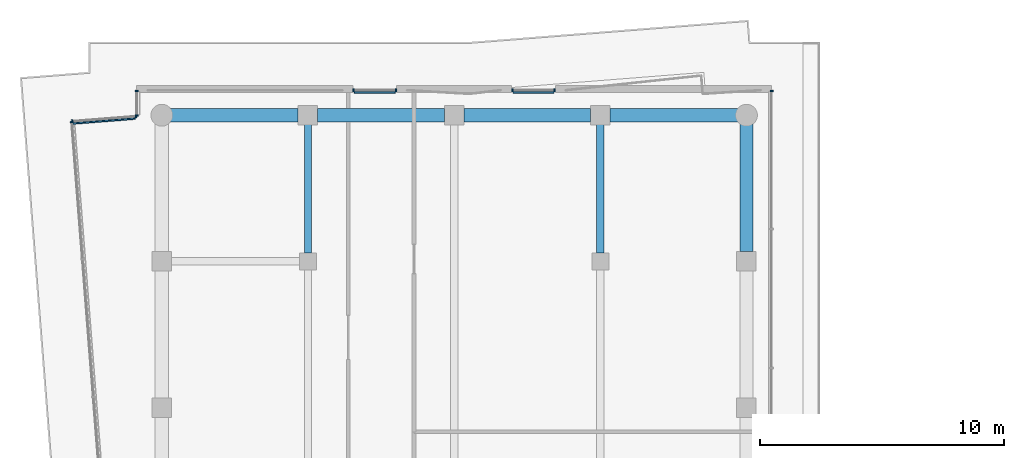
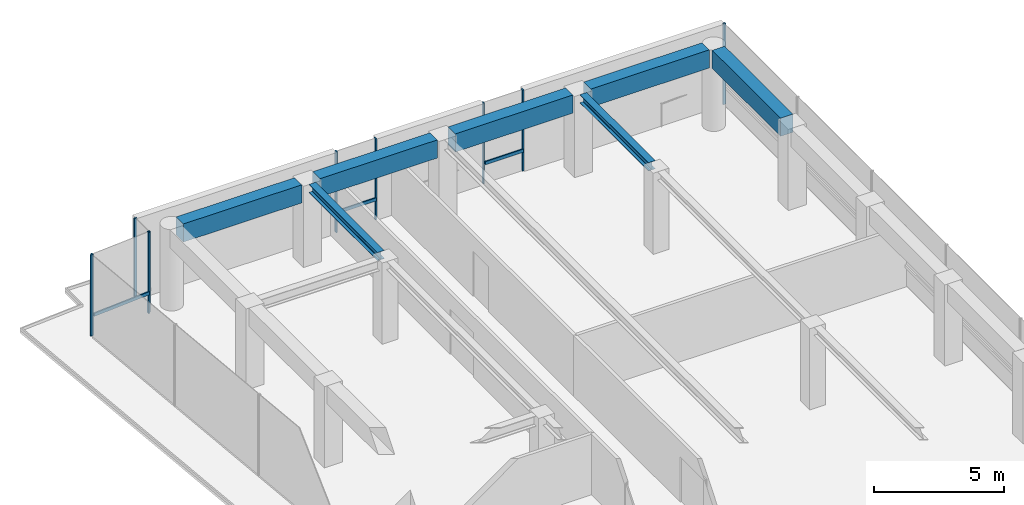
# One storey, part 17 of 23: 13 members, 7 beams, 6 elements without a shape of their own.
"""IFC4 building model written with IfcOpenShell, lengths in metres."""

import ifcopenshell
import ifcopenshell.guid

model = None  # the IFC model being written
_history = None  # IfcOwnerHistory: only IFC2X3 demands one
_inside = {}  # id of a spatial element -> (the spatial element, [elements in it])
_under = {}  # id of a project, library or spatial element -> (it, [spatial elements below it])
_declared = {}  # id of a project -> (the project, [libraries it declares])
_typed = {}  # id of a type object -> (the type object, [elements of that type])
_made_of = {}  # id of a material, layer set ... -> (it, [elements and type objects made of it])


def new_model(schema):
    """Start an empty IFC model of exactly this schema.

    Asked for "IFC4X3", IfcOpenShell would pick the latest addendum, in which some entities
    have other attributes; the version numbers below select the first issue.
    IFC2X3 requires an IfcOwnerHistory on every rooted entity: one is made here for all.
    """
    global model, _history
    if schema == "IFC4X3":
        model = ifcopenshell.file(schema_version=(4, 3, 0, 0))
    else:
        model = ifcopenshell.file(schema=schema)
    _inside.clear()
    _under.clear()
    _declared.clear()
    _typed.clear()
    _made_of.clear()
    _history = None
    if model.schema == "IFC2X3":
        org = make("IfcOrganization", Name="unknown")
        user = make(
            "IfcPersonAndOrganization",
            ThePerson=make("IfcPerson", FamilyName="unknown"),
            TheOrganization=org,
        )
        app = make(
            "IfcApplication",
            ApplicationDeveloper=org,
            Version="unknown",
            ApplicationFullName="unknown",
            ApplicationIdentifier="unknown",
        )
        _history = make(
            "IfcOwnerHistory",
            OwningUser=user,
            OwningApplication=app,
            ChangeAction="ADDED",
            CreationDate=0,
        )
    return model


def make(cls, **values):
    """One entity of the class cls with the attributes given. An attribute that is None is left unset."""
    return model.create_entity(
        cls, **{name: value for name, value in values.items() if value is not None}
    )


def rooted(cls, **values):
    """An entity with a GlobalId (a new one), such as an element, a storey or a relation."""
    return make(cls, GlobalId=ifcopenshell.guid.new(), OwnerHistory=_history, **values)


def si_unit(unit_type, name, prefix=None):
    """IfcSIUnit, for example si_unit("LENGTHUNIT", "METRE", prefix="MILLI")."""
    return make("IfcSIUnit", UnitType=unit_type, Prefix=prefix, Name=name)


def assignment(units):
    """IfcUnitAssignment: the units of a project."""
    return None if units is None else make("IfcUnitAssignment", Units=units)


def point(xyz):
    """IfcCartesianPoint."""
    return None if xyz is None else make("IfcCartesianPoint", Coordinates=xyz)


def direction(xyz):
    """IfcDirection."""
    return None if xyz is None else make("IfcDirection", DirectionRatios=xyz)


def frame(location, z_axis=None, x_axis=None):
    """IfcAxis2Placement3D, a coordinate frame: its origin and axes. An axis left out is left unset."""
    return make(
        "IfcAxis2Placement3D",
        Location=point(location),
        Axis=direction(z_axis),
        RefDirection=direction(x_axis),
    )


def frame_2d(location, x_axis=None):
    """IfcAxis2Placement2D, a coordinate frame in the plane: its origin and x axis."""
    return make(
        "IfcAxis2Placement2D", Location=point(location), RefDirection=direction(x_axis)
    )


def origin():
    """The frame at (0, 0, 0) with its axes left unset."""
    return frame((0.0, 0.0, 0.0))


def origin_2d():
    """The frame at (0, 0) in the plane with its x axis left unset."""
    return frame_2d((0.0, 0.0))


def place(relative_to, where):
    """IfcLocalPlacement: puts the frame where relative to a parent placement (None: the world)."""
    return make(
        "IfcLocalPlacement", PlacementRelTo=relative_to, RelativePlacement=where
    )


def context(
    kind, dimensions, precision=None, world=None, true_north=None, identifier=None
):
    """IfcGeometricRepresentationContext, for example the 3D "Model" context."""
    return make(
        "IfcGeometricRepresentationContext",
        ContextIdentifier=identifier,
        ContextType=kind,
        CoordinateSpaceDimension=dimensions,
        Precision=precision,
        WorldCoordinateSystem=world,
        TrueNorth=true_north,
    )


def subcontext(parent, identifier, kind, view, scale=None):
    """IfcGeometricRepresentationSubContext, for example "Body" below "Model"."""
    return make(
        "IfcGeometricRepresentationSubContext",
        ContextIdentifier=identifier,
        ContextType=kind,
        ParentContext=parent,
        TargetScale=scale,
        TargetView=view,
    )


def project(units=None, contexts=None):
    """IfcProject with its units and contexts."""
    return rooted(
        "IfcProject",
        Name="project",
        RepresentationContexts=contexts,
        UnitsInContext=assignment(units),
    )


def spatial(cls, under=None, at=None, **own):
    """A site, building, storey or space (cls), placed at a placement, below another one or the project."""
    s = rooted(cls, ObjectPlacement=at, **own)
    if under is not None:
        _under.setdefault(under.id(), (under, []))[1].append(s)
    return s


def profile(cls, at=None, kind="AREA", **sizes):
    """A parametric profile (cls). Its sizes go by their IFC names, for example OverallWidth=200.0."""
    return make(cls, ProfileType=kind, Position=at, **sizes)


def rectangle(**sizes):
    """IfcRectangleProfileDef."""
    return profile("IfcRectangleProfileDef", **sizes)


def i_section(**sizes):
    """IfcIShapeProfileDef."""
    return profile("IfcIShapeProfileDef", **sizes)


def extrude(swept, where, along, depth):
    """IfcExtrudedAreaSolid: the profile swept, set in the frame where, extruded along a direction by depth."""
    return make(
        "IfcExtrudedAreaSolid",
        SweptArea=swept,
        Position=where,
        ExtrudedDirection=direction(along),
        Depth=depth,
    )


def shape(context_of_items, identifier, shape_type, items):
    """IfcShapeRepresentation: the items that make up one representation, for example the "Body"."""
    return make(
        "IfcShapeRepresentation",
        ContextOfItems=context_of_items,
        RepresentationIdentifier=identifier,
        RepresentationType=shape_type,
        Items=items,
    )


def material(Name=None, Category=None):
    """IfcMaterial."""
    return make("IfcMaterial", Name=Name, Category=Category)


def layer(
    of_material, thickness, ventilated=None, Name=None, Category=None, Priority=None
):
    """IfcMaterialLayer: one layer of a wall or slab, of a material (None: an air gap)."""
    return make(
        "IfcMaterialLayer",
        Material=of_material,
        LayerThickness=thickness,
        IsVentilated=ventilated,
        Name=Name,
        Category=Category,
        Priority=Priority,
    )


def layer_set(layers, Name=None):
    """IfcMaterialLayerSet."""
    return make("IfcMaterialLayerSet", MaterialLayers=layers, LayerSetName=Name)


def material_profile(
    of_material, cross_section, Name=None, Category=None, Priority=None
):
    """IfcMaterialProfile: a cross section and its material."""
    return make(
        "IfcMaterialProfile",
        Name=Name,
        Material=of_material,
        Profile=cross_section,
        Priority=Priority,
        Category=Category,
    )


def profile_set(profiles, Name=None, composite=None):
    """IfcMaterialProfileSet."""
    return make(
        "IfcMaterialProfileSet",
        Name=Name,
        MaterialProfiles=profiles,
        CompositeProfile=composite,
    )


def made_of(thing, what):
    """Note that an element or type object is made of a material, layer set ...; save() writes the relation."""
    if what is not None:
        _made_of.setdefault(what.id(), (what, []))[1].append(thing)
    return thing


def type_object(cls, material=None, **own):
    """A type object (cls), such as IfcWallType, which elements share."""
    return made_of(rooted(cls, **own), material)


def element(
    cls,
    number,
    at=None,
    inside=None,
    cuts=None,
    type_object=None,
    material=None,
    context=None,
    identifier="Body",
    shape_type=None,
    held_by="IfcProductDefinitionShape",
    body=None,
    shapes=None,
    **own,
):
    """One element of the class cls, such as IfcWall. Its Tag is "e" and its number.

    at: its placement. inside: the storey or other place that contains it. cuts: it is an
    opening in that element (IfcRelVoidsElement). A single representation is given by context,
    identifier, shape_type and body (its items); several are given by shapes. held_by: the class
    of the entity that holds the representations. save() writes the other relations.
    """
    e = rooted(cls, Tag="e%d" % number, ObjectPlacement=at, **own)
    if body is not None:
        shapes = [shape(context, identifier, shape_type, body)]
    if shapes is not None:
        e.Representation = make(held_by, Representations=shapes)
    if inside is not None:
        _inside.setdefault(inside.id(), (inside, []))[1].append(e)
    if cuts is not None:
        rooted(
            "IfcRelVoidsElement", RelatingBuildingElement=cuts, RelatedOpeningElement=e
        )
    if type_object is not None:
        _typed.setdefault(type_object.id(), (type_object, []))[1].append(e)
    return made_of(e, material)


def aggregate(whole, parts):
    """IfcRelAggregates: a whole, such as a stair, and the parts it consists of."""
    return rooted("IfcRelAggregates", RelatingObject=whole, RelatedObjects=parts)


def save(model, path):
    """Write the relations noted so far, then the file.

    IfcRelAggregates (storeys below a building ...), IfcRelContainedInSpatialStructure (elements
    in a storey), IfcRelDefinesByType, IfcRelAssociatesMaterial and IfcRelDeclares: one each for
    every whole, place, type object, material and project.
    """
    for whole, parts in _under.values():
        aggregate(whole, parts)
    for where, things in _inside.values():
        rooted(
            "IfcRelContainedInSpatialStructure",
            RelatedElements=things,
            RelatingStructure=where,
        )
    for kind, things in _typed.values():
        rooted("IfcRelDefinesByType", RelatedObjects=things, RelatingType=kind)
    for what, things in _made_of.values():
        rooted("IfcRelAssociatesMaterial", RelatedObjects=things, RelatingMaterial=what)
    for by, libraries in _declared.values():
        rooted("IfcRelDeclares", RelatingContext=by, RelatedDefinitions=libraries)
    model.write(path)


model = new_model("IFC4")

# Units and contexts
model_context = context("Model", 3, precision=1e-05, world=origin(), true_north=direction((0.0, 1.0)))
body_context = subcontext(model_context, "Body", "Model", "MODEL_VIEW")
ifc_project = project(units=[si_unit("LENGTHUNIT", "METRE"), si_unit("AREAUNIT", "SQUARE_METRE"), si_unit("VOLUMEUNIT", "CUBIC_METRE"), si_unit("PLANEANGLEUNIT", "RADIAN"), si_unit("MASSUNIT", "GRAM", prefix="KILO")], contexts=[model_context])

# Site, building, storey
site_placement = place(None, origin())
site = spatial("IfcSite", under=ifc_project, at=site_placement, CompositionType="ELEMENT")
building_placement = place(site_placement, origin())
building = spatial("IfcBuilding", under=site, at=building_placement, Name="Welwitschia Terrace Campus", CompositionType="ELEMENT")
storey_placement = place(building_placement, frame((0.0, 0.0, 209.60009765625)))
storey = spatial("IfcBuildingStorey", under=building, at=storey_placement, Name="L46", CompositionType="ELEMENT", Elevation=209.60009765625)

# Beams
ifc_material_1 = material(Name="Steel S355", Category="steel")
ifc_material_profile_1 = material_profile(ifc_material_1, i_section(OverallWidth=0.300048828125, OverallDepth=0.389892578125, WebThickness=0.010986328125, FlangeThickness=0.01904296875, FilletRadius=0.027099609375, at=origin_2d()))
ifc_profile_set_1 = profile_set([ifc_material_profile_1], Name="Steel S355")
beam_type_1 = type_object("IfcBeamType", Name="Interior girder HE 400 A", PredefinedType="BEAM", material=ifc_profile_set_1)
for number, where, z_axis, x_axis, name in (
    (1, (6.0, 64.3505859375, 3.60498046875), (0.0, 1.0, 0.0), (-1.0, 0.0, 0.0), "Girder GB5"),
    (2, (18.0, 64.3505859375, 3.60498046875), (0.0, 1.0, 0.0), (-1.0, 0.0, 0.0), "Girder GB5"),
):
    element("IfcBeam", number, at=place(storey_placement, frame(where, z_axis=z_axis, x_axis=x_axis)), inside=storey, type_object=beam_type_1, Name=name, PredefinedType="BEAM", context=body_context, shape_type="SweptSolid", body=[
        extrude(i_section(OverallWidth=0.300048828125, OverallDepth=0.389892578125, WebThickness=0.010986328125, FlangeThickness=0.01904296875, FilletRadius=0.027099609375, at=origin_2d()), origin(), (0.0, 0.0, 1.0), 5.259033203125),
    ])

# Curtain wall, member
ifc_material_2 = material(Name="Bronze anodised aluminium", Category="aluminium")
ifc_layer = layer(ifc_material_2, 0.1201171875)
ifc_layer_set = layer_set([ifc_layer], Name="Bronze anodised aluminium")
curtain_wall_type = type_object("IfcCurtainWallType", Name="Curtain wall CW2 tower 6000", PredefinedType="NOTDEFINED", material=ifc_layer_set)
curtain_wall_1_placement = place(storey_placement, origin())
curtain_wall_1 = element("IfcCurtainWall", 3, at=curtain_wall_1_placement, inside=storey, type_object=curtain_wall_type, Name="CW L46.7.0", PredefinedType="NOTDEFINED")
ifc_material_3 = material(Name="Bronze anodised aluminium", Category="aluminium")
ifc_material_profile_2 = material_profile(ifc_material_3, rectangle(XDim=0.1201171875, YDim=0.06005859375, at=origin_2d()))
ifc_profile_set_2 = profile_set([ifc_material_profile_2], Name="Bronze anodised aluminium")
member_type_1 = type_object("IfcMemberType", Name="Mullion 60x120", PredefinedType="MULLION", material=ifc_profile_set_2)
member_1_placement = place(storey_placement, frame((25.030029296875, 71.0, 0.0), z_axis=(0.0, 0.0, 1.0), x_axis=(-1.0, 0.0, 0.0)))
member_1 = element("IfcMember", 4, at=member_1_placement, type_object=member_type_1, Name="Mullion L46.7.0.6", PredefinedType="MULLION", context=body_context, shape_type="SweptSolid", body=[
    extrude(rectangle(XDim=0.1201171875, YDim=0.06005859375, at=origin_2d()), origin(), (0.0, 0.0, 1.0), 3.7998046875),
])
aggregate(curtain_wall_1, [member_1])

# Curtain wall, members
curtain_wall_2_placement = place(storey_placement, origin())
curtain_wall_2 = element("IfcCurtainWall", 5, at=curtain_wall_2_placement, inside=storey, type_object=curtain_wall_type, Name="CW L46.8.S0", PredefinedType="NOTDEFINED")
member_2_placement = place(storey_placement, frame((16.12744140625, 71.030029296875, 0.0), z_axis=(0.0, 0.0, 1.0), x_axis=(0.0, -1.0, 0.0)))
member_2 = element("IfcMember", 6, at=member_2_placement, type_object=member_type_1, Name="Mullion L46.8.S0.0", PredefinedType="MULLION", context=body_context, shape_type="SweptSolid", body=[
    extrude(rectangle(XDim=0.1201171875, YDim=0.06005859375, at=origin_2d()), origin(), (0.0, 0.0, 1.0), 3.7998046875),
])
member_3_placement = place(storey_placement, frame((14.387451171875, 71.030029296875, 0.0), z_axis=(0.0, 0.0, 1.0), x_axis=(0.0, -1.0, 0.0)))
member_3 = element("IfcMember", 7, at=member_3_placement, type_object=member_type_1, Name="Mullion L46.8.S0.1", PredefinedType="MULLION", context=body_context, shape_type="SweptSolid", body=[
    extrude(rectangle(XDim=0.1201171875, YDim=0.06005859375, at=origin_2d()), origin(), (0.0, 0.0, 1.0), 3.7998046875),
])

curtain_wall_3_placement = place(storey_placement, origin())
curtain_wall_3 = element("IfcCurtainWall", 8, at=curtain_wall_3_placement, inside=storey, type_object=curtain_wall_type, Name="CW L46.8.S1", PredefinedType="NOTDEFINED")
member_4_placement = place(storey_placement, frame((9.612548828125, 71.030029296875, 0.0), z_axis=(0.0, 0.0, 1.0), x_axis=(0.0, -1.0, 0.0)))
member_4 = element("IfcMember", 9, at=member_4_placement, type_object=member_type_1, Name="Mullion L46.8.S1.0", PredefinedType="MULLION", context=body_context, shape_type="SweptSolid", body=[
    extrude(rectangle(XDim=0.1201171875, YDim=0.06005859375, at=origin_2d()), origin(), (0.0, 0.0, 1.0), 3.7998046875),
])
member_5_placement = place(storey_placement, frame((7.87255859375, 71.030029296875, 0.0), z_axis=(0.0, 0.0, 1.0), x_axis=(0.0, -1.0, 0.0)))
member_5 = element("IfcMember", 10, at=member_5_placement, type_object=member_type_1, Name="Mullion L46.8.S1.1", PredefinedType="MULLION", context=body_context, shape_type="SweptSolid", body=[
    extrude(rectangle(XDim=0.1201171875, YDim=0.06005859375, at=origin_2d()), origin(), (0.0, 0.0, 1.0), 3.7998046875),
])

curtain_wall_4_placement = place(storey_placement, origin())
curtain_wall_4 = element("IfcCurtainWall", 11, at=curtain_wall_4_placement, inside=storey, type_object=curtain_wall_type, Name="CW L46.9.0", PredefinedType="NOTDEFINED")
member_6_placement = place(storey_placement, frame((-1.030029296875, 71.0, 0.0), z_axis=(0.0, 0.0, 1.0), x_axis=(1.0, 0.0, 0.0)))
member_6 = element("IfcMember", 12, at=member_6_placement, type_object=member_type_1, Name="Mullion L46.9.0.0", PredefinedType="MULLION", context=body_context, shape_type="SweptSolid", body=[
    extrude(rectangle(XDim=0.1201171875, YDim=0.06005859375, at=origin_2d()), origin(), (0.0, 0.0, 1.0), 3.7998046875),
])
member_7_placement = place(storey_placement, frame((-1.030029296875, 69.986328125, 0.0), z_axis=(0.0, 0.0, 1.0), x_axis=(1.0, 0.0, 0.0)))
member_7 = element("IfcMember", 13, at=member_7_placement, type_object=member_type_1, Name="Mullion L46.9.0.1", PredefinedType="MULLION", context=body_context, shape_type="SweptSolid", body=[
    extrude(rectangle(XDim=0.1201171875, YDim=0.06005859375, at=origin_2d()), origin(), (0.0, 0.0, 1.0), 3.7998046875),
])
aggregate(curtain_wall_4, [member_6, member_7])

curtain_wall_5_placement = place(storey_placement, origin())
curtain_wall_5 = element("IfcCurtainWall", 14, at=curtain_wall_5_placement, inside=storey, type_object=curtain_wall_type, Name="CW L46.10.0", PredefinedType="NOTDEFINED")
member_8_placement = place(storey_placement, frame((-1.059814453125, 69.9541015625, 0.0), z_axis=(0.0, 0.0, 1.0), x_axis=(0.078459095728, -0.996917333733, 0.0)))
member_8 = element("IfcMember", 15, at=member_8_placement, type_object=member_type_1, Name="Mullion L46.10.0.0", PredefinedType="MULLION", context=body_context, shape_type="SweptSolid", body=[
    extrude(rectangle(XDim=0.1201171875, YDim=0.06005859375, at=origin_2d()), origin(), (0.0, 0.0, 1.0), 3.7998046875),
])
member_9_placement = place(storey_placement, frame((-3.671875, 69.74853515625, 0.0), z_axis=(0.0, 0.0, 1.0), x_axis=(0.078459095728, -0.996917333733, 0.0)))
member_9 = element("IfcMember", 16, at=member_9_placement, type_object=member_type_1, Name="Mullion L46.10.0.1", PredefinedType="MULLION", context=body_context, shape_type="SweptSolid", body=[
    extrude(rectangle(XDim=0.1201171875, YDim=0.06005859375, at=origin_2d()), origin(), (0.0, 0.0, 1.0), 3.7998046875),
])

# Curtain wall, member
curtain_wall_6_placement = place(storey_placement, origin())
curtain_wall_6 = element("IfcCurtainWall", 17, at=curtain_wall_6_placement, inside=storey, type_object=curtain_wall_type, Name="CW L46.11.0", PredefinedType="NOTDEFINED")
member_10_placement = place(storey_placement, frame((-3.699462890625, 69.716064453125, 0.0), z_axis=(0.0, 0.0, 1.0), x_axis=(0.996917333733, 0.078459095728, 0.0)))
member_10 = element("IfcMember", 18, at=member_10_placement, type_object=member_type_1, Name="Mullion L46.11.0.0", PredefinedType="MULLION", context=body_context, shape_type="SweptSolid", body=[
    extrude(rectangle(XDim=0.1201171875, YDim=0.06005859375, at=origin_2d()), origin(), (0.0, 0.0, 1.0), 3.7998046875),
])
aggregate(curtain_wall_6, [member_10])

# Beams
ifc_material_4 = material(Name="Concrete C50/60", Category="concrete")
ifc_material_profile_3 = material_profile(ifc_material_4, rectangle(XDim=0.550048828125, YDim=0.85009765625, at=origin_2d()))
ifc_profile_set_3 = profile_set([ifc_material_profile_3], Name="Concrete C50/60")
beam_type_2 = type_object("IfcBeamType", Name="Ring spandrel 550x850", PredefinedType="SPANDREL", material=ifc_profile_set_3)
for number, where, z_axis, x_axis, name in (
    (19, (24.0, 64.400390625, 3.375), (0.0, 1.0, 0.0), (-1.0, 0.0, 0.0), "Spandrel SP3"),
    (20, (23.64306640625, 70.0, 3.375), (-1.0, 0.0, 0.0), (0.0, -1.0, 0.0), "Spandrel SP3"),
):
    element("IfcBeam", number, at=place(storey_placement, frame(where, z_axis=z_axis, x_axis=x_axis)), inside=storey, type_object=beam_type_2, Name=name, PredefinedType="SPANDREL", context=body_context, shape_type="SweptSolid", body=[
        extrude(rectangle(XDim=0.550048828125, YDim=0.85009765625, at=origin_2d()), origin(), (0.0, 0.0, 1.0), 5.24267578125),
    ])
for number, where, z_axis, x_axis, name in (
    (21, (17.599609375, 70.0, 3.375), (-1.0, 0.0, 0.0), (0.0, -1.0, 0.0), "Spandrel SP3"),
    (22, (11.599609375, 70.0, 3.375), (-1.0, 0.0, 0.0), (0.0, -1.0, 0.0), "Spandrel SP3"),
):
    element("IfcBeam", number, at=place(storey_placement, frame(where, z_axis=z_axis, x_axis=x_axis)), inside=storey, type_object=beam_type_2, Name=name, PredefinedType="SPANDREL", context=body_context, shape_type="SweptSolid", body=[
        extrude(rectangle(XDim=0.550048828125, YDim=0.85009765625, at=origin_2d()), origin(), (0.0, 0.0, 1.0), 5.19921875),
    ])
beam_placement = place(storey_placement, frame((5.599609375, 70.0, 3.375), z_axis=(-1.0, 0.0, 0.0), x_axis=(0.0, -1.0, 0.0)))
element("IfcBeam", 23, at=beam_placement, inside=storey, type_object=beam_type_2, Name="Spandrel SP3", PredefinedType="SPANDREL", context=body_context, shape_type="SweptSolid", body=[
    extrude(rectangle(XDim=0.550048828125, YDim=0.85009765625, at=origin_2d()), origin(), (0.0, 0.0, 1.0), 5.24267578125),
])

# Member
ifc_material_5 = material(Name="Bronze anodised aluminium", Category="aluminium")
ifc_material_profile_4 = material_profile(ifc_material_5, rectangle(XDim=0.06005859375, YDim=0.14990234375, at=origin_2d()))
ifc_profile_set_4 = profile_set([ifc_material_profile_4], Name="Bronze anodised aluminium")
member_type_2 = type_object("IfcMemberType", Name="Transom 60x150", PredefinedType="USERDEFINED", material=ifc_profile_set_4)
member_11_placement = place(storey_placement, frame((16.097412109375, 70.93994140625, 1.0), z_axis=(-1.0, 0.0, 0.0), x_axis=(0.0, -1.0, 0.0)))
member_11 = element("IfcMember", 24, at=member_11_placement, type_object=member_type_2, Name="Transom L46.8.S0", ObjectType="TRANSOM", PredefinedType="USERDEFINED", context=body_context, shape_type="SweptSolid", body=[
    extrude(rectangle(XDim=0.06005859375, YDim=0.14990234375, at=origin_2d()), origin(), (0.0, 0.0, 1.0), 1.679931640625),
])

aggregate(curtain_wall_2, [member_2, member_3, member_11])

member_12_placement = place(storey_placement, frame((9.58251953125, 70.93994140625, 1.0), z_axis=(-1.0, 0.0, 0.0), x_axis=(0.0, -1.0, 0.0)))
member_12 = element("IfcMember", 25, at=member_12_placement, type_object=member_type_2, Name="Transom L46.8.S1", ObjectType="TRANSOM", PredefinedType="USERDEFINED", context=body_context, shape_type="SweptSolid", body=[
    extrude(rectangle(XDim=0.06005859375, YDim=0.14990234375, at=origin_2d()), origin(), (0.0, 0.0, 1.0), 1.679931640625),
])

aggregate(curtain_wall_3, [member_4, member_5, member_12])

member_13_placement = place(storey_placement, frame((-1.082763671875, 69.86181640625, 1.0), z_axis=(-0.996922321836, -0.078395690094, 0.0), x_axis=(0.078395690094, -0.996922321836, 0.0)))
member_13 = element("IfcMember", 26, at=member_13_placement, type_object=member_type_2, Name="Transom L46.10.0", ObjectType="TRANSOM", PredefinedType="USERDEFINED", context=body_context, shape_type="SweptSolid", body=[
    extrude(rectangle(XDim=0.06005859375, YDim=0.14990234375, at=origin_2d()), origin(), (0.0, 0.0, 1.0), 2.559814453125),
])

aggregate(curtain_wall_5, [member_8, member_9, member_13])

save(model, "model.ifc")
